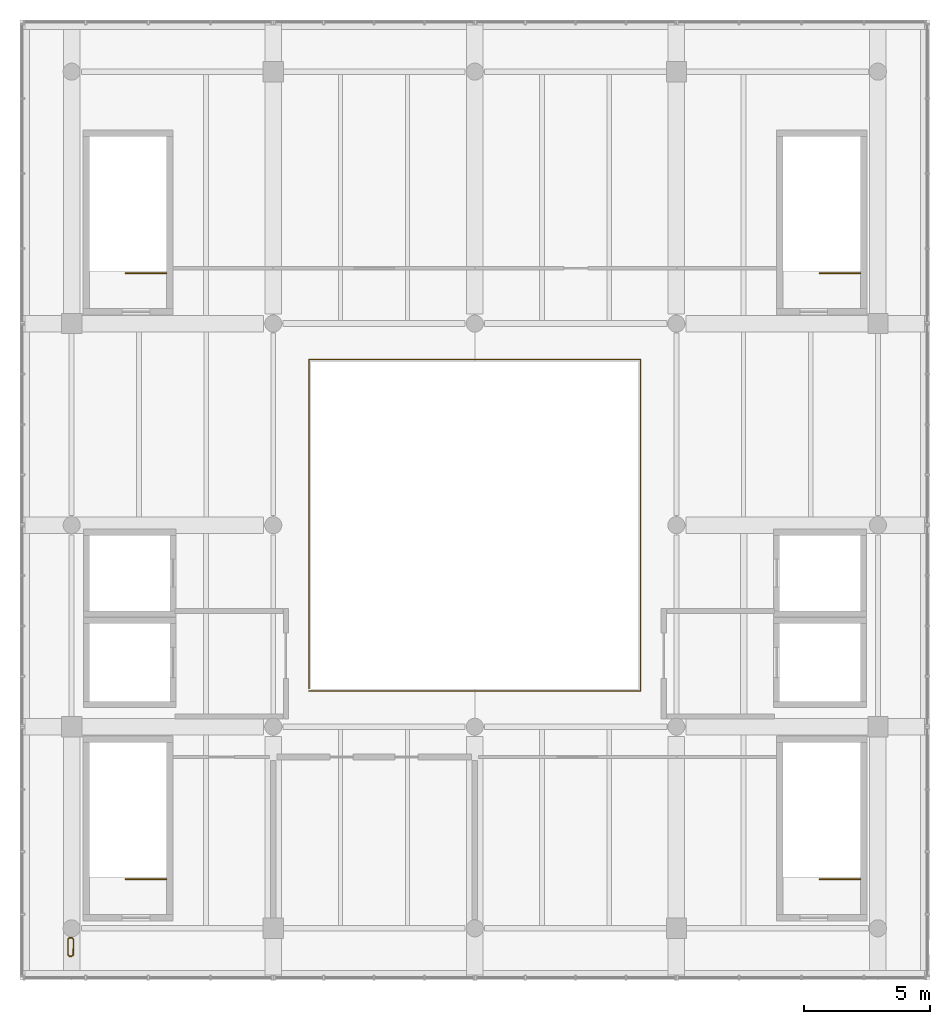
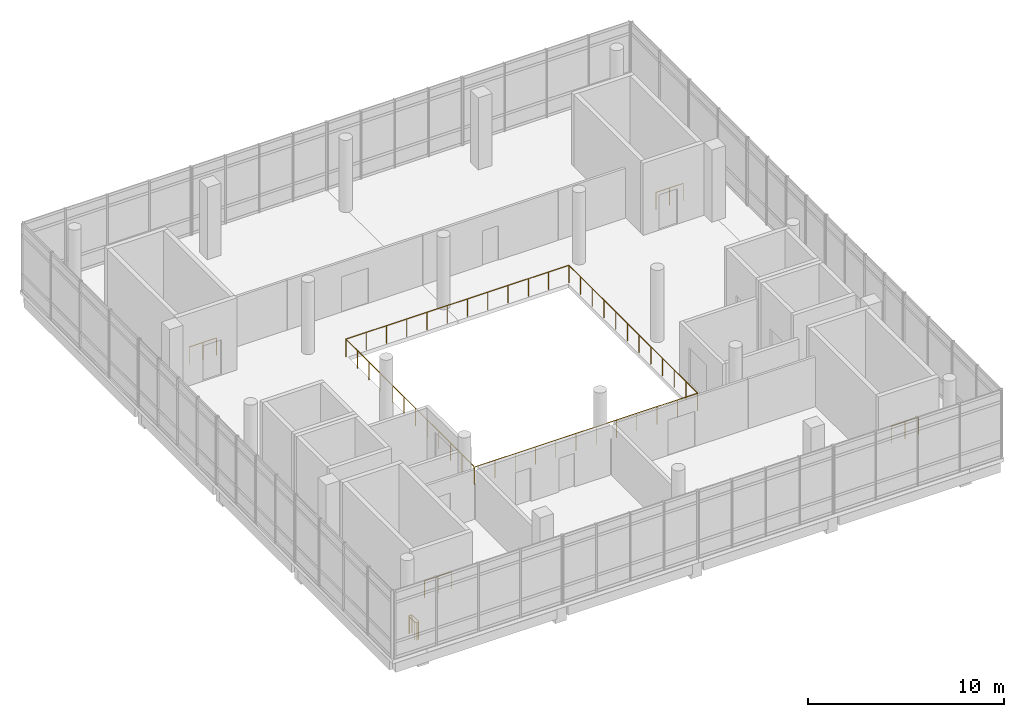
# One storey, part 15 of 15: 6 railings.
"""IFC4 building model written with IfcOpenShell, lengths in metres."""

from ifc_helpers import new_model, si_unit, direction, frame, origin, origin_2d, place, context, subcontext, project, spatial, circle, extrude, material, type_object, element, save


model = new_model("IFC4")

# Units and contexts
model_context = context("Model", 3, precision=1e-05, world=origin(), true_north=direction((0.0, 1.0)))
body_context = subcontext(model_context, "Body", "Model", "MODEL_VIEW")
ifc_project = project(units=[si_unit("LENGTHUNIT", "METRE"), si_unit("AREAUNIT", "SQUARE_METRE"), si_unit("VOLUMEUNIT", "CUBIC_METRE"), si_unit("PLANEANGLEUNIT", "RADIAN"), si_unit("MASSUNIT", "GRAM", prefix="KILO")], contexts=[model_context])

# Site, building, storey
site_placement = place(None, origin())
site = spatial("IfcSite", under=ifc_project, at=site_placement, CompositionType="ELEMENT")
building_placement = place(site_placement, origin())
building = spatial("IfcBuilding", under=site, at=building_placement, Name="Pecanmere Concourse Central Library", CompositionType="ELEMENT")
storey_placement = place(building_placement, frame((0.0, 0.0, 30.300048828125)))
storey = spatial("IfcBuildingStorey", under=building, at=storey_placement, Name="L07", CompositionType="ELEMENT", Elevation=30.300048828125)

# Railings
ifc_material_1 = material(Name="Architectural anodized bronze")
railing_type_1 = type_object("IfcRailingType", Name="RAIL_ATRIUM_BAL", PredefinedType="BALUSTRADE", material=ifc_material_1)
railing_1_placement = place(storey_placement, frame((81.419921875, 99.419921875, 0.0)))
element("IfcRailing", 1, at=railing_1_placement, inside=storey, type_object=railing_type_1, Name="Main Reading Room Gallery Balustrade", PredefinedType="BALUSTRADE", context=body_context, shape_type="SweptSolid", body=[
    extrude(circle(Radius=0.02392578125, at=origin_2d()), frame((0.0, 0.0, 1.09619140625), z_axis=(1.0, 0.0, 0.0), x_axis=(0.0, 1.0, 0.0)), (0.0, 0.0, 1.0), 13.16015625),
    extrude(circle(Radius=0.02392578125, at=origin_2d()), frame((13.16015625, 0.0, 1.09619140625), z_axis=(0.0, 1.0, 0.0), x_axis=(-1.0, 0.0, 0.0)), (0.0, 0.0, 1.0), 13.16015625),
    extrude(circle(Radius=0.02392578125, at=origin_2d()), frame((13.16015625, 13.16015625, 1.09619140625), z_axis=(-1.0, 0.0, 0.0), x_axis=(0.0, -1.0, 0.0)), (0.0, 0.0, 1.0), 13.16015625),
    extrude(circle(Radius=0.02392578125, at=origin_2d()), frame((0.0, 13.16015625, 1.09619140625), z_axis=(0.0, -1.0, 0.0), x_axis=(1.0, 0.0, 0.0)), (0.0, 0.0, 1.0), 13.06005859375),
    extrude(circle(Radius=0.02099609375, at=origin_2d()), origin(), (0.0, 0.0, 1.0), 1.072021484375),
    extrude(circle(Radius=0.02099609375, at=origin_2d()), frame((1.1962890625, 0.0, 0.0)), (0.0, 0.0, 1.0), 1.072021484375),
    extrude(circle(Radius=0.02099609375, at=origin_2d()), frame((2.392822265625, 0.0, 0.0)), (0.0, 0.0, 1.0), 1.072021484375),
    extrude(circle(Radius=0.02099609375, at=origin_2d()), frame((3.589111328125, 0.0, 0.0)), (0.0, 0.0, 1.0), 1.072021484375),
    extrude(circle(Radius=0.02099609375, at=origin_2d()), frame((4.785400390625, 0.0, 0.0)), (0.0, 0.0, 1.0), 1.072021484375),
    extrude(circle(Radius=0.02099609375, at=origin_2d()), frame((5.98193359375, 0.0, 0.0)), (0.0, 0.0, 1.0), 1.072021484375),
    extrude(circle(Radius=0.02099609375, at=origin_2d()), frame((7.17822265625, 0.0, 0.0)), (0.0, 0.0, 1.0), 1.072021484375),
    extrude(circle(Radius=0.02099609375, at=origin_2d()), frame((8.374755859375, 0.0, 0.0)), (0.0, 0.0, 1.0), 1.072021484375),
    extrude(circle(Radius=0.02099609375, at=origin_2d()), frame((9.571044921875, 0.0, 0.0)), (0.0, 0.0, 1.0), 1.072021484375),
    extrude(circle(Radius=0.02099609375, at=origin_2d()), frame((10.767333984375, 0.0, 0.0)), (0.0, 0.0, 1.0), 1.072021484375),
    extrude(circle(Radius=0.02099609375, at=origin_2d()), frame((11.9638671875, 0.0, 0.0)), (0.0, 0.0, 1.0), 1.072021484375),
    extrude(circle(Radius=0.02099609375, at=origin_2d()), frame((13.16015625, 0.0, 0.0)), (0.0, 0.0, 1.0), 1.072021484375),
    extrude(circle(Radius=0.02099609375, at=origin_2d()), frame((13.16015625, 1.1962890625, 0.0)), (0.0, 0.0, 1.0), 1.072021484375),
    extrude(circle(Radius=0.02099609375, at=origin_2d()), frame((13.16015625, 2.392822265625, 0.0)), (0.0, 0.0, 1.0), 1.072021484375),
    extrude(circle(Radius=0.02099609375, at=origin_2d()), frame((13.16015625, 3.589111328125, 0.0)), (0.0, 0.0, 1.0), 1.072021484375),
    extrude(circle(Radius=0.02099609375, at=origin_2d()), frame((13.16015625, 4.785400390625, 0.0)), (0.0, 0.0, 1.0), 1.072021484375),
    extrude(circle(Radius=0.02099609375, at=origin_2d()), frame((13.16015625, 5.98193359375, 0.0)), (0.0, 0.0, 1.0), 1.072021484375),
    extrude(circle(Radius=0.02099609375, at=origin_2d()), frame((13.16015625, 7.17822265625, 0.0)), (0.0, 0.0, 1.0), 1.072021484375),
    extrude(circle(Radius=0.02099609375, at=origin_2d()), frame((13.16015625, 8.374755859375, 0.0)), (0.0, 0.0, 1.0), 1.072021484375),
    extrude(circle(Radius=0.02099609375, at=origin_2d()), frame((13.16015625, 9.571044921875, 0.0)), (0.0, 0.0, 1.0), 1.072021484375),
    extrude(circle(Radius=0.02099609375, at=origin_2d()), frame((13.16015625, 10.767333984375, 0.0)), (0.0, 0.0, 1.0), 1.072021484375),
    extrude(circle(Radius=0.02099609375, at=origin_2d()), frame((13.16015625, 11.9638671875, 0.0)), (0.0, 0.0, 1.0), 1.072021484375),
    extrude(circle(Radius=0.02099609375, at=origin_2d()), frame((13.16015625, 13.16015625, 0.0)), (0.0, 0.0, 1.0), 1.072021484375),
    extrude(circle(Radius=0.02099609375, at=origin_2d()), frame((11.9638671875, 13.16015625, 0.0)), (0.0, 0.0, 1.0), 1.072021484375),
    extrude(circle(Radius=0.02099609375, at=origin_2d()), frame((10.767333984375, 13.16015625, 0.0)), (0.0, 0.0, 1.0), 1.072021484375),
    extrude(circle(Radius=0.02099609375, at=origin_2d()), frame((9.571044921875, 13.16015625, 0.0)), (0.0, 0.0, 1.0), 1.072021484375),
    extrude(circle(Radius=0.02099609375, at=origin_2d()), frame((8.374755859375, 13.16015625, 0.0)), (0.0, 0.0, 1.0), 1.072021484375),
    extrude(circle(Radius=0.02099609375, at=origin_2d()), frame((7.17822265625, 13.16015625, 0.0)), (0.0, 0.0, 1.0), 1.072021484375),
    extrude(circle(Radius=0.02099609375, at=origin_2d()), frame((5.98193359375, 13.16015625, 0.0)), (0.0, 0.0, 1.0), 1.072021484375),
    extrude(circle(Radius=0.02099609375, at=origin_2d()), frame((4.785400390625, 13.16015625, 0.0)), (0.0, 0.0, 1.0), 1.072021484375),
    extrude(circle(Radius=0.02099609375, at=origin_2d()), frame((3.589111328125, 13.16015625, 0.0)), (0.0, 0.0, 1.0), 1.072021484375),
    extrude(circle(Radius=0.02099609375, at=origin_2d()), frame((2.392822265625, 13.16015625, 0.0)), (0.0, 0.0, 1.0), 1.072021484375),
    extrude(circle(Radius=0.02099609375, at=origin_2d()), frame((1.1962890625, 13.16015625, 0.0)), (0.0, 0.0, 1.0), 1.072021484375),
    extrude(circle(Radius=0.02099609375, at=origin_2d()), frame((0.0, 13.16015625, 0.0)), (0.0, 0.0, 1.0), 1.072021484375),
    extrude(circle(Radius=0.02099609375, at=origin_2d()), frame((0.0, 11.972900390625, 0.0)), (0.0, 0.0, 1.0), 1.072021484375),
    extrude(circle(Radius=0.02099609375, at=origin_2d()), frame((0.0, 10.78564453125, 0.0)), (0.0, 0.0, 1.0), 1.072021484375),
    extrude(circle(Radius=0.02099609375, at=origin_2d()), frame((0.0, 9.598388671875, 0.0)), (0.0, 0.0, 1.0), 1.072021484375),
    extrude(circle(Radius=0.02099609375, at=origin_2d()), frame((0.0, 8.4111328125, 0.0)), (0.0, 0.0, 1.0), 1.072021484375),
    extrude(circle(Radius=0.02099609375, at=origin_2d()), frame((0.0, 7.223876953125, 0.0)), (0.0, 0.0, 1.0), 1.072021484375),
    extrude(circle(Radius=0.02099609375, at=origin_2d()), frame((0.0, 6.036376953125, 0.0)), (0.0, 0.0, 1.0), 1.072021484375),
    extrude(circle(Radius=0.02099609375, at=origin_2d()), frame((0.0, 4.84912109375, 0.0)), (0.0, 0.0, 1.0), 1.072021484375),
    extrude(circle(Radius=0.02099609375, at=origin_2d()), frame((0.0, 3.661865234375, 0.0)), (0.0, 0.0, 1.0), 1.072021484375),
    extrude(circle(Radius=0.02099609375, at=origin_2d()), frame((0.0, 2.474609375, 0.0)), (0.0, 0.0, 1.0), 1.072021484375),
    extrude(circle(Radius=0.02099609375, at=origin_2d()), frame((0.0, 1.287353515625, 0.0)), (0.0, 0.0, 1.0), 1.072021484375),
    extrude(circle(Radius=0.02099609375, at=origin_2d()), frame((0.0, 0.10009765625, 0.0)), (0.0, 0.0, 1.0), 1.072021484375),
])
railing_2_placement = place(storey_placement, frame((71.850341796875, 88.961669921875, 0.0)))
element("IfcRailing", 2, at=railing_2_placement, inside=storey, type_object=railing_type_1, Name="Deck Edge Protective Balustrade L07-231", PredefinedType="BALUSTRADE", context=body_context, shape_type="SweptSolid", body=[
    extrude(circle(Radius=0.02392578125, at=origin_2d()), frame((0.0, 0.0, 1.09619140625), z_axis=(0.591491231767, -0.806311430369, 0.0), x_axis=(0.806311430369, 0.591491231767, 0.0)), (0.0, 0.0, 1.0), 0.0830078125),
    extrude(circle(Radius=0.02392578125, at=origin_2d()), frame((0.049072265625, -0.06689453125, 1.09619140625), z_axis=(0.998195860289, -0.060041856258, 0.0), x_axis=(0.060041856258, 0.998195860289, 0.0)), (0.0, 0.0, 1.0), 0.09765625),
    extrude(circle(Radius=0.02392578125, at=origin_2d()), frame((0.146484375, -0.07275390625, 1.09619140625), z_axis=(0.806311430369, 0.591491231767, 0.0), x_axis=(-0.591491231767, 0.806311430369, 0.0)), (0.0, 0.0, 1.0), 0.0830078125),
    extrude(circle(Radius=0.02392578125, at=origin_2d()), frame((0.21337890625, -0.023681640625, 1.09619140625), z_axis=(0.009489489668, 0.999954973779, 0.0), x_axis=(-0.999954973779, 0.009489489668, 0.0)), (0.0, 0.0, 1.0), 0.617431640625),
    extrude(circle(Radius=0.02392578125, at=origin_2d()), frame((0.21923828125, 0.59375, 1.09619140625), z_axis=(-0.591491231767, 0.806311430369, 0.0), x_axis=(-0.806311430369, -0.591491231767, 0.0)), (0.0, 0.0, 1.0), 0.0830078125),
    extrude(circle(Radius=0.02392578125, at=origin_2d()), frame((0.170166015625, 0.66064453125, 1.09619140625), z_axis=(-0.998195860289, 0.060041856258, 0.0), x_axis=(-0.060041856258, -0.998195860289, 0.0)), (0.0, 0.0, 1.0), 0.09765625),
    extrude(circle(Radius=0.02392578125, at=origin_2d()), frame((0.07275390625, 0.66650390625, 1.09619140625), z_axis=(-0.806311430369, -0.591491231767, 0.0), x_axis=(0.591491231767, -0.806311430369, 0.0)), (0.0, 0.0, 1.0), 0.0830078125),
    extrude(circle(Radius=0.02392578125, at=origin_2d()), frame((0.005859375, 0.617431640625, 1.09619140625), z_axis=(-0.009489489668, -0.999954973779, 0.0), x_axis=(0.999954973779, -0.009489489668, 0.0)), (0.0, 0.0, 1.0), 0.617431640625),
    extrude(circle(Radius=0.02099609375, at=origin_2d()), origin(), (0.0, 0.0, 1.0), 1.072021484375),
    extrude(circle(Radius=0.02099609375, at=origin_2d()), frame((0.049072265625, -0.06689453125, 0.0)), (0.0, 0.0, 1.0), 1.072021484375),
    extrude(circle(Radius=0.02099609375, at=origin_2d()), frame((0.146484375, -0.07275390625, 0.0)), (0.0, 0.0, 1.0), 1.072021484375),
    extrude(circle(Radius=0.02099609375, at=origin_2d()), frame((0.21337890625, -0.023681640625, 0.0)), (0.0, 0.0, 1.0), 1.072021484375),
    extrude(circle(Radius=0.02099609375, at=origin_2d()), frame((0.21923828125, 0.59375, 0.0)), (0.0, 0.0, 1.0), 1.072021484375),
    extrude(circle(Radius=0.02099609375, at=origin_2d()), frame((0.170166015625, 0.66064453125, 0.0)), (0.0, 0.0, 1.0), 1.072021484375),
    extrude(circle(Radius=0.02099609375, at=origin_2d()), frame((0.07275390625, 0.66650390625, 0.0)), (0.0, 0.0, 1.0), 1.072021484375),
    extrude(circle(Radius=0.02099609375, at=origin_2d()), frame((0.005859375, 0.617431640625, 0.0)), (0.0, 0.0, 1.0), 1.072021484375),
])
ifc_material_2 = material(Name="Painted architectural steel ASTM A36", Category="steel")
railing_type_2 = type_object("IfcRailingType", Name="RAIL_STAIR_GUARD", PredefinedType="GUARDRAIL", material=ifc_material_2)
for number, where, name in (
    (3, (75.760009765625, 91.949951171875, 0.0), "L07 ST-01 Top Well Guard 1"),
    (4, (103.300048828125, 91.949951171875, 0.0), "L07 ST-02 Top Well Guard 1"),
    (5, (75.760009765625, 116.0, 0.0), "L07 ST-03 Top Well Guard 1"),
    (6, (103.300048828125, 116.0, 0.0), "L07 ST-04 Top Well Guard 1"),
):
    element("IfcRailing", number, at=place(storey_placement, frame(where)), inside=storey, type_object=railing_type_2, Name=name, PredefinedType="GUARDRAIL", context=body_context, shape_type="SweptSolid", body=[
        extrude(circle(Radius=0.02392578125, at=origin_2d()), frame((0.0, 0.0, 1.076171875), z_axis=(-1.0, 0.0, 0.0), x_axis=(0.0, -1.0, 0.0)), (0.0, 0.0, 1.0), 1.610107421875),
        extrude(circle(Radius=0.02099609375, at=origin_2d()), origin(), (0.0, 0.0, 1.0), 1.052001953125),
        extrude(circle(Radius=0.02099609375, at=origin_2d()), frame((-0.80517578125, 0.0, 0.0)), (0.0, 0.0, 1.0), 1.052001953125),
        extrude(circle(Radius=0.02099609375, at=origin_2d()), frame((-1.610107421875, 0.0, 0.0)), (0.0, 0.0, 1.0), 1.052001953125),
    ])

save(model, "model.ifc")
